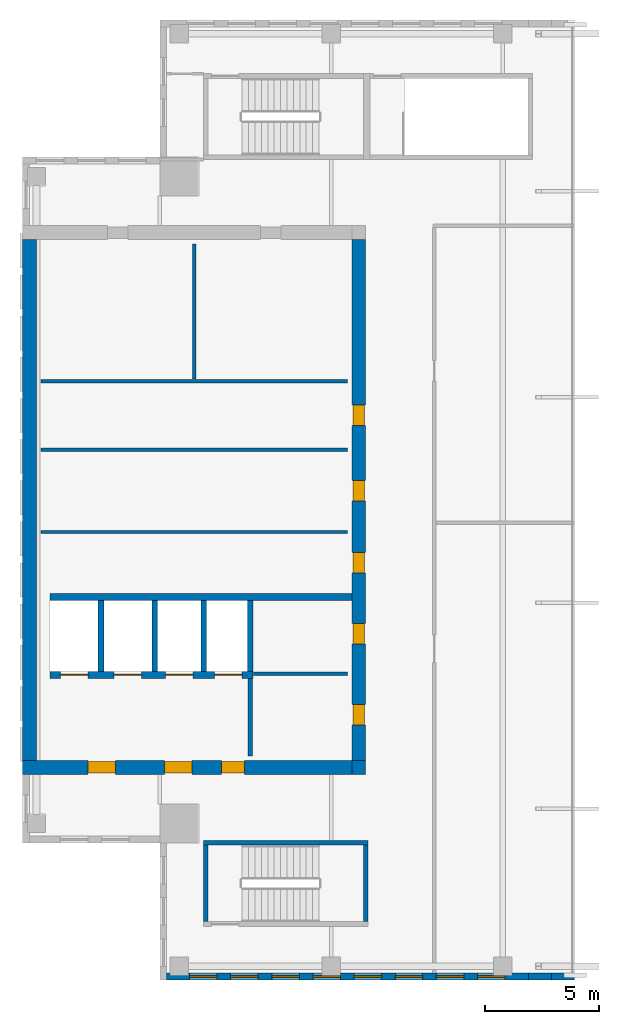
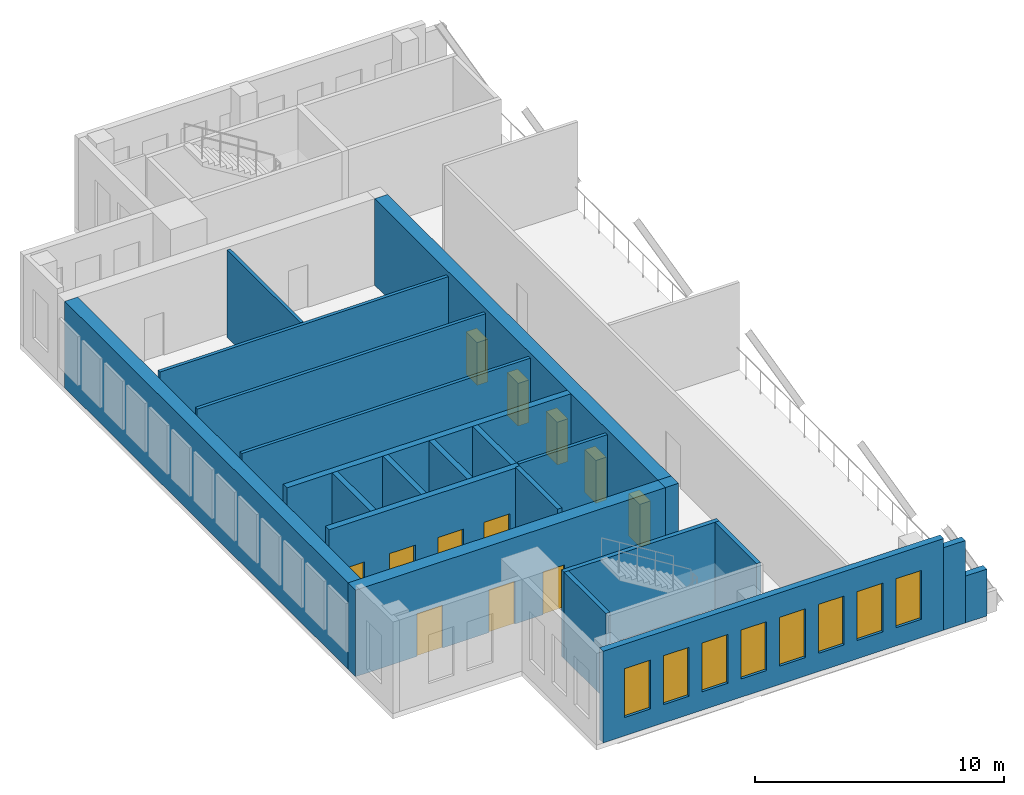
# One storey, part 2 of 5: 22 walls, 12 doors, 8 windows, 20 openings.
"""IFC4 building model written with IfcOpenShell, lengths in metres."""

from ifc_helpers import new_model, si_unit, direction, frame, frame_2d, origin, place, context, subcontext, project, spatial, rectangle, extrude, source, transform, mapped, material, layer, layer_set, type_object, element, fill, save


model = new_model("IFC4")

# Units and contexts
model_context = context("Model", 3, precision=1e-05, world=origin(), true_north=direction((0.0, 1.0)))
body_context = subcontext(model_context, "Body", "Model", "MODEL_VIEW")
ifc_project = project(units=[si_unit("LENGTHUNIT", "METRE"), si_unit("AREAUNIT", "SQUARE_METRE"), si_unit("VOLUMEUNIT", "CUBIC_METRE"), si_unit("PLANEANGLEUNIT", "RADIAN"), si_unit("MASSUNIT", "GRAM", prefix="KILO")], contexts=[model_context])

# Site, building, storey
site_placement = place(None, origin())
site = spatial("IfcSite", under=ifc_project, at=site_placement, CompositionType="ELEMENT")
building_placement = place(site_placement, origin())
building = spatial("IfcBuilding", under=site, at=building_placement, Name="Khomas Fold Tower", CompositionType="ELEMENT")
storey_placement = place(building_placement, frame((0.0, 0.0, 343.699951171875)))
storey = spatial("IfcBuildingStorey", under=building, at=storey_placement, Name="C4", CompositionType="ELEMENT", Elevation=343.699951171875)

# Wall, openings, doors
ifc_material_1 = material(Name="Concrete C50/60", Category="concrete")
ifc_layer_1 = layer(ifc_material_1, 0.60009765625)
ifc_layer_set_1 = layer_set([ifc_layer_1], Name="Concrete C50/60")
wall_type_1 = type_object("IfcWallType", Name="Core wall 600", PredefinedType="SHEAR", material=ifc_layer_set_1)
shared_shape_1 = source(origin(), body_context, "Body", "SweptSolid", [
    extrude(rectangle(XDim=14.39990234375, YDim=0.60009765625, at=frame_2d((7.199951171875, 0.0))), origin(), (0.0, 0.0, 1.0), 4.25),
])
wall_1_placement = place(storey_placement, frame((6.0, 15.300048828125, 0.0), z_axis=(0.0, 0.0, 1.0), x_axis=(1.0, 0.0, 0.0)))
wall_1 = element("IfcWall", 1, at=wall_1_placement, inside=storey, type_object=wall_type_1, Name="Core wall CW-U-S-L63", PredefinedType="SHEAR", context=body_context, shape_type="MappedRepresentation", body=[
    mapped(shared_shape_1, transform((0.0, 0.0, 0.0))),
])
shared_shape_2 = source(origin(), body_context, "Body", "SweptSolid", [
    extrude(rectangle(XDim=1.199951171875, YDim=2.10009765625, at=frame_2d((0.60009765625, 1.050048828125))), frame((0.0, 0.31005859375, 0.0), z_axis=(0.0, -1.0, 0.0), x_axis=(1.0, 0.0, 0.0)), (0.0, 0.0, 1.0), 0.6201171875),
])
opening_1_placement = place(wall_1_placement, frame((6.199951171875, 0.0, 0.0)))
opening_1 = element("IfcOpeningElement", 2, at=opening_1_placement, cuts=wall_1, Name="Opening 0009", PredefinedType="OPENING", context=body_context, shape_type="MappedRepresentation", body=[
    mapped(shared_shape_2, transform((0.0, 0.0, 0.0))),
])
opening_2_placement = place(wall_1_placement, frame((2.85009765625, 0.0, 0.0)))
opening_2 = element("IfcOpeningElement", 3, at=opening_2_placement, cuts=wall_1, Name="Opening 0009", PredefinedType="OPENING", context=body_context, shape_type="MappedRepresentation", body=[
    mapped(shared_shape_2, transform((0.0, 0.0, 0.0))),
])
shared_shape_3 = source(origin(), body_context, "Body", "SweptSolid", [
    extrude(rectangle(XDim=1.0, YDim=2.10009765625, at=frame_2d((0.5, 1.050048828125))), frame((0.0, 0.31005859375, 0.0), z_axis=(0.0, -1.0, 0.0), x_axis=(1.0, 0.0, 0.0)), (0.0, 0.0, 1.0), 0.6201171875),
])
opening_3_placement = place(wall_1_placement, frame((8.699951171875, 0.0, 0.0)))
opening_3 = element("IfcOpeningElement", 4, at=opening_3_placement, cuts=wall_1, Name="Opening 0010", PredefinedType="OPENING", context=body_context, shape_type="MappedRepresentation", body=[
    mapped(shared_shape_3, transform((0.0, 0.0, 0.0))),
])
ifc_material_2 = material(Name="Steel door leaf", Category="steel")
door_type_1 = type_object("IfcDoorType", Name="Stair door 1000x2100 right-hand", OperationType="SINGLE_SWING_RIGHT", PredefinedType="DOOR", material=ifc_material_2)
shared_shape_4 = source(origin(), body_context, "Body", "SweptSolid", [
    extrude(rectangle(XDim=1.0, YDim=2.10009765625, at=frame_2d((0.5, 1.050048828125))), frame((0.0, 0.25, 0.0), z_axis=(0.0, -1.0, 0.0), x_axis=(1.0, 0.0, 0.0)), (0.0, 0.0, 1.0), 0.5),
])
door_1_placement = place(opening_3_placement, origin())
door_1 = element("IfcDoor", 5, at=door_1_placement, inside=storey, type_object=door_type_1, Name="Stair door", OperationType="SINGLE_SWING_RIGHT", OverallHeight=2.10009765625, OverallWidth=1.0, PredefinedType="DOOR", context=body_context, shape_type="MappedRepresentation", body=[
    mapped(shared_shape_4, transform((0.0, 0.0, 0.0))),
])
fill(opening_3, door_1)
ifc_material_3 = material(Name="Steel door leaf", Category="steel")
door_type_2 = type_object("IfcDoorType", Name="Lobby door 1200x2100 right-hand", OperationType="SINGLE_SWING_RIGHT", PredefinedType="DOOR", material=ifc_material_3)
shared_shape_5 = source(origin(), body_context, "Body", "SweptSolid", [
    extrude(rectangle(XDim=1.199951171875, YDim=2.10009765625, at=frame_2d((0.60009765625, 1.050048828125))), frame((0.0, 0.25, 0.0), z_axis=(0.0, -1.0, 0.0), x_axis=(1.0, 0.0, 0.0)), (0.0, 0.0, 1.0), 0.5),
])
door_2_placement = place(opening_1_placement, origin())
door_2 = element("IfcDoor", 6, at=door_2_placement, inside=storey, type_object=door_type_2, Name="Lobby door", OperationType="SINGLE_SWING_RIGHT", OverallHeight=2.10009765625, OverallWidth=1.199951171875, PredefinedType="DOOR", context=body_context, shape_type="MappedRepresentation", body=[
    mapped(shared_shape_5, transform((0.0, 0.0, 0.0))),
])
fill(opening_1, door_2)
door_3_placement = place(opening_2_placement, origin())
door_3 = element("IfcDoor", 7, at=door_3_placement, inside=storey, type_object=door_type_2, Name="Lobby door", OperationType="SINGLE_SWING_RIGHT", OverallHeight=2.10009765625, OverallWidth=1.199951171875, PredefinedType="DOOR", context=body_context, shape_type="MappedRepresentation", body=[
    mapped(shared_shape_5, transform((0.0, 0.0, 0.0))),
])
fill(opening_2, door_3)

# Wall
ifc_material_4 = material(Name="Concrete C50/60", Category="concrete")
ifc_layer_2 = layer(ifc_material_4, 0.60009765625)
ifc_layer_set_2 = layer_set([ifc_layer_2], Name="Concrete C50/60")
wall_type_2 = type_object("IfcWallType", Name="Core corner wall 600", PredefinedType="SHEAR", material=ifc_layer_set_2)
shared_shape_6 = source(origin(), body_context, "Body", "SweptSolid", [
    extrude(rectangle(XDim=0.60009765625, YDim=0.60009765625, at=frame_2d((0.300048828125, 0.0))), origin(), (0.0, 0.0, 1.0), 4.25),
])
wall_2_placement = place(storey_placement, frame((20.39990234375, 15.300048828125, 0.0), z_axis=(0.0, 0.0, 1.0), x_axis=(1.0, 0.0, 0.0)))
element("IfcWall", 8, at=wall_2_placement, inside=storey, type_object=wall_type_2, Name="Core wall CW-U-SE-L63", PredefinedType="SHEAR", context=body_context, shape_type="MappedRepresentation", body=[
    mapped(shared_shape_6, transform((0.0, 0.0, 0.0))),
])

# Wall, openings, doors
shared_shape_7 = source(origin(), body_context, "Body", "SweptSolid", [
    extrude(rectangle(XDim=22.7998046875, YDim=0.60009765625, at=frame_2d((11.39990234375, 0.0))), origin(), (0.0, 0.0, 1.0), 4.25),
])
wall_3_placement = place(storey_placement, frame((20.699951171875, 15.60009765625, 0.0), z_axis=(0.0, 0.0, 1.0), x_axis=(0.0, 1.0, 0.0)))
wall_3 = element("IfcWall", 9, at=wall_3_placement, inside=storey, type_object=wall_type_1, Name="Core wall CW-U-E-L63", PredefinedType="SHEAR", context=body_context, shape_type="MappedRepresentation", body=[
    mapped(shared_shape_7, transform((0.0, 0.0, 0.0))),
])
shared_shape_8 = source(origin(), body_context, "Body", "SweptSolid", [
    extrude(rectangle(XDim=0.89990234375, YDim=2.10009765625, at=frame_2d((0.449951171875, 1.050048828125))), frame((0.0, 0.31005859375, 0.0), z_axis=(0.0, -1.0, 0.0), x_axis=(1.0, 0.0, 0.0)), (0.0, 0.0, 1.0), 0.6201171875),
])
opening_4_placement = place(wall_3_placement, frame((8.199951171875, 0.0, 0.0)))
opening_4 = element("IfcOpeningElement", 10, at=opening_4_placement, cuts=wall_3, Name="Opening 0003", PredefinedType="OPENING", context=body_context, shape_type="MappedRepresentation", body=[
    mapped(shared_shape_8, transform((0.0, 0.0, 0.0))),
])
opening_5_placement = place(wall_3_placement, frame((11.35009765625, 0.0, 0.0)))
opening_5 = element("IfcOpeningElement", 11, at=opening_5_placement, cuts=wall_3, Name="Opening 0003", PredefinedType="OPENING", context=body_context, shape_type="MappedRepresentation", body=[
    mapped(shared_shape_8, transform((0.0, 0.0, 0.0))),
])
opening_6_placement = place(wall_3_placement, frame((14.64990234375, 0.0, 0.0)))
opening_6 = element("IfcOpeningElement", 12, at=opening_6_placement, cuts=wall_3, Name="Opening 0003", PredefinedType="OPENING", context=body_context, shape_type="MappedRepresentation", body=[
    mapped(shared_shape_8, transform((0.0, 0.0, 0.0))),
])
opening_7_placement = place(wall_3_placement, frame((1.550048828125, 0.0, 0.0)))
opening_7 = element("IfcOpeningElement", 13, at=opening_7_placement, cuts=wall_3, Name="Opening 0004", PredefinedType="OPENING", context=body_context, shape_type="MappedRepresentation", body=[
    mapped(shared_shape_8, transform((0.0, 0.0, 0.0))),
])
opening_8_placement = place(wall_3_placement, frame((5.10009765625, 0.0, 0.0)))
opening_8 = element("IfcOpeningElement", 14, at=opening_8_placement, cuts=wall_3, Name="Opening 0003", PredefinedType="OPENING", context=body_context, shape_type="MappedRepresentation", body=[
    mapped(shared_shape_8, transform((0.0, 0.0, 0.0))),
])
ifc_material_5 = material(Name="Steel door leaf", Category="steel")
door_type_3 = type_object("IfcDoorType", Name="Plant room door 900x2100 right-hand", OperationType="SINGLE_SWING_RIGHT", PredefinedType="DOOR", material=ifc_material_5)
shared_shape_9 = source(origin(), body_context, "Body", "SweptSolid", [
    extrude(rectangle(XDim=0.89990234375, YDim=2.10009765625, at=frame_2d((0.449951171875, 1.050048828125))), frame((0.0, 0.25, 0.0), z_axis=(0.0, -1.0, 0.0), x_axis=(1.0, 0.0, 0.0)), (0.0, 0.0, 1.0), 0.5),
])
door_4_placement = place(opening_4_placement, origin())
door_4 = element("IfcDoor", 15, at=door_4_placement, inside=storey, type_object=door_type_3, Name="Plant room door", OperationType="SINGLE_SWING_RIGHT", OverallHeight=2.10009765625, OverallWidth=0.89990234375, PredefinedType="DOOR", context=body_context, shape_type="MappedRepresentation", body=[
    mapped(shared_shape_9, transform((0.0, 0.0, 0.0))),
])
fill(opening_4, door_4)
door_5_placement = place(opening_5_placement, origin())
door_5 = element("IfcDoor", 16, at=door_5_placement, inside=storey, type_object=door_type_3, Name="Plant room door", OperationType="SINGLE_SWING_RIGHT", OverallHeight=2.10009765625, OverallWidth=0.89990234375, PredefinedType="DOOR", context=body_context, shape_type="MappedRepresentation", body=[
    mapped(shared_shape_9, transform((0.0, 0.0, 0.0))),
])
fill(opening_5, door_5)
door_6_placement = place(opening_6_placement, origin())
door_6 = element("IfcDoor", 17, at=door_6_placement, inside=storey, type_object=door_type_3, Name="Plant room door", OperationType="SINGLE_SWING_RIGHT", OverallHeight=2.10009765625, OverallWidth=0.89990234375, PredefinedType="DOOR", context=body_context, shape_type="MappedRepresentation", body=[
    mapped(shared_shape_9, transform((0.0, 0.0, 0.0))),
])
fill(opening_6, door_6)
ifc_material_6 = material(Name="Timber door leaf", Category="wood")
door_type_4 = type_object("IfcDoorType", Name="WC door 900x2100 right-hand", OperationType="SINGLE_SWING_RIGHT", PredefinedType="DOOR", material=ifc_material_6)
door_7_placement = place(opening_7_placement, origin())
door_7 = element("IfcDoor", 18, at=door_7_placement, inside=storey, type_object=door_type_4, Name="WC door", OperationType="SINGLE_SWING_RIGHT", OverallHeight=2.10009765625, OverallWidth=0.89990234375, PredefinedType="DOOR", context=body_context, shape_type="MappedRepresentation", body=[
    mapped(shared_shape_9, transform((0.0, 0.0, 0.0))),
])
fill(opening_7, door_7)
door_8_placement = place(opening_8_placement, origin())
door_8 = element("IfcDoor", 19, at=door_8_placement, inside=storey, type_object=door_type_3, Name="Plant room door", OperationType="SINGLE_SWING_RIGHT", OverallHeight=2.10009765625, OverallWidth=0.89990234375, PredefinedType="DOOR", context=body_context, shape_type="MappedRepresentation", body=[
    mapped(shared_shape_9, transform((0.0, 0.0, 0.0))),
])
fill(opening_8, door_8)

# Walls
wall_4_placement = place(storey_placement, frame((6.300048828125, 15.60009765625, 0.0), z_axis=(0.0, 0.0, 1.0), x_axis=(0.0, 1.0, 0.0)))
element("IfcWall", 20, at=wall_4_placement, inside=storey, type_object=wall_type_1, Name="Core wall CW-U-W-L63", PredefinedType="SHEAR", context=body_context, shape_type="MappedRepresentation", body=[
    mapped(shared_shape_7, transform((0.0, 0.0, 0.0))),
])
ifc_material_7 = material(Name="Concrete C50/60", Category="concrete")
ifc_layer_3 = layer(ifc_material_7, 0.199951171875)
ifc_layer_set_3 = layer_set([ifc_layer_3], Name="Concrete C50/60")
wall_type_3 = type_object("IfcWallType", Name="Stair wall 200", PredefinedType="SHEAR", material=ifc_layer_set_3)
shared_shape_10 = source(origin(), body_context, "Body", "SweptSolid", [
    extrude(rectangle(XDim=7.2001953125, YDim=0.199951171875, at=frame_2d((3.60009765625, 0.0))), origin(), (0.0, 0.0, 1.0), 4.25),
])
wall_5_placement = place(storey_placement, frame((13.89990234375, 12.0, 0.0), z_axis=(0.0, 0.0, 1.0), x_axis=(1.0, 0.0, 0.0)))
element("IfcWall", 21, at=wall_5_placement, inside=storey, type_object=wall_type_3, Name="Stair wall SW-ST2-NH", PredefinedType="SHEAR", context=body_context, shape_type="MappedRepresentation", body=[
    mapped(shared_shape_10, transform((0.0, 0.0, 0.0))),
])
shared_shape_11 = source(origin(), body_context, "Body", "SweptSolid", [
    extrude(rectangle(XDim=3.349853515625, YDim=0.199951171875, at=frame_2d((1.6748046875, 0.0))), origin(), (0.0, 0.0, 1.0), 4.25),
])
for number, where, z_axis, x_axis, name in (
    (22, (21.0, 8.550048828125, 0.0), (0.0, 0.0, 1.0), (0.0, 1.0, 0.0), "Stair wall SW-ST2-E"),
    (23, (14.0, 8.550048828125, 0.0), (0.0, 0.0, 1.0), (0.0, 1.0, 0.0), "Stair wall SW-ST2-W"),
):
    element("IfcWall", number, at=place(storey_placement, frame(where, z_axis=z_axis, x_axis=x_axis)), inside=storey, type_object=wall_type_3, Name=name, PredefinedType="SHEAR", context=body_context, shape_type="MappedRepresentation", body=[
        mapped(shared_shape_11, transform((0.0, 0.0, 0.0))),
    ])
ifc_material_8 = material(Name="Concrete C50/60", Category="concrete")
ifc_layer_4 = layer(ifc_material_8, 0.300048828125)
ifc_layer_set_4 = layer_set([ifc_layer_4], Name="Concrete C50/60")
wall_type_4 = type_object("IfcWallType", Name="Shaft wall 300", PredefinedType="STANDARD", material=ifc_layer_set_4)
shared_shape_12 = source(origin(), body_context, "Body", "SweptSolid", [
    extrude(rectangle(XDim=13.199951171875, YDim=0.300048828125, at=frame_2d((6.60009765625, 0.0))), origin(), (0.0, 0.0, 1.0), 4.25),
])
wall_6_placement = place(storey_placement, frame((7.199951171875, 22.75, 0.0), z_axis=(0.0, 0.0, 1.0), x_axis=(1.0, 0.0, 0.0)))
element("IfcWall", 24, at=wall_6_placement, inside=storey, type_object=wall_type_4, Name="Core wall SW-FS-B", PredefinedType="STANDARD", context=body_context, shape_type="MappedRepresentation", body=[
    mapped(shared_shape_12, transform((0.0, 0.0, 0.0))),
])

# Wall, openings, doors
shared_shape_13 = source(origin(), body_context, "Body", "SweptSolid", [
    extrude(rectangle(XDim=8.875, YDim=0.300048828125, at=frame_2d((4.4375, 0.0))), origin(), (0.0, 0.0, 1.0), 4.25),
])
wall_7_placement = place(storey_placement, frame((7.199951171875, 19.35009765625, 0.0), z_axis=(0.0, 0.0, 1.0), x_axis=(1.0, 0.0, 0.0)))
wall_7 = element("IfcWall", 25, at=wall_7_placement, inside=storey, type_object=wall_type_4, Name="Core wall SW-FS-F", PredefinedType="STANDARD", context=body_context, shape_type="MappedRepresentation", body=[
    mapped(shared_shape_13, transform((0.0, 0.0, 0.0))),
])
shared_shape_14 = source(origin(), body_context, "Body", "SweptSolid", [
    extrude(rectangle(XDim=1.199951171875, YDim=2.10009765625, at=frame_2d((0.60009765625, 1.050048828125))), frame((0.0, 0.159912109375, 0.0), z_axis=(0.0, -1.0, 0.0), x_axis=(1.0, 0.0, 0.0)), (0.0, 0.0, 1.0), 0.320068359375),
])
opening_9_placement = place(wall_7_placement, frame((0.449951171875, 0.0, 0.0)))
opening_9 = element("IfcOpeningElement", 26, at=opening_9_placement, cuts=wall_7, Name="Opening LD-SV1", PredefinedType="OPENING", context=body_context, shape_type="MappedRepresentation", body=[
    mapped(shared_shape_14, transform((0.0, 0.0, 0.0))),
])
opening_10_placement = place(wall_7_placement, frame((2.800048828125, 0.0, 0.0)))
opening_10 = element("IfcOpeningElement", 27, at=opening_10_placement, cuts=wall_7, Name="Opening LD-SV2", PredefinedType="OPENING", context=body_context, shape_type="MappedRepresentation", body=[
    mapped(shared_shape_14, transform((0.0, 0.0, 0.0))),
])
opening_11_placement = place(wall_7_placement, frame((5.050048828125, 0.0, 0.0)))
opening_11 = element("IfcOpeningElement", 28, at=opening_11_placement, cuts=wall_7, Name="Opening LD-FF1", PredefinedType="OPENING", context=body_context, shape_type="MappedRepresentation", body=[
    mapped(shared_shape_14, transform((0.0, 0.0, 0.0))),
])
opening_12_placement = place(wall_7_placement, frame((7.199951171875, 0.0, 0.0)))
opening_12 = element("IfcOpeningElement", 29, at=opening_12_placement, cuts=wall_7, Name="Opening LD-FF2", PredefinedType="OPENING", context=body_context, shape_type="MappedRepresentation", body=[
    mapped(shared_shape_14, transform((0.0, 0.0, 0.0))),
])
ifc_material_9 = material(Name="Steel door leaf", Category="steel")
door_type_5 = type_object("IfcDoorType", Name="Landing door 1200x2100", OperationType="DOUBLE_DOOR_SLIDING", PredefinedType="DOOR", material=ifc_material_9)
shared_shape_15 = source(origin(), body_context, "Body", "SweptSolid", [
    extrude(rectangle(XDim=1.199951171875, YDim=2.10009765625, at=frame_2d((0.60009765625, 1.050048828125))), frame((0.0, 0.02490234375, 0.0), z_axis=(0.0, -1.0, 0.0), x_axis=(1.0, 0.0, 0.0)), (0.0, 0.0, 1.0), 0.050048828125),
])
door_9_placement = place(opening_9_placement, origin())
door_9 = element("IfcDoor", 30, at=door_9_placement, inside=storey, type_object=door_type_5, Name="Lift landing door", OperationType="DOUBLE_DOOR_SLIDING", OverallHeight=2.10009765625, OverallWidth=1.199951171875, PredefinedType="DOOR", context=body_context, shape_type="MappedRepresentation", body=[
    mapped(shared_shape_15, transform((0.0, 0.0, 0.0))),
])
fill(opening_9, door_9)
door_10_placement = place(opening_10_placement, origin())
door_10 = element("IfcDoor", 31, at=door_10_placement, inside=storey, type_object=door_type_5, Name="Lift landing door", OperationType="DOUBLE_DOOR_SLIDING", OverallHeight=2.10009765625, OverallWidth=1.199951171875, PredefinedType="DOOR", context=body_context, shape_type="MappedRepresentation", body=[
    mapped(shared_shape_15, transform((0.0, 0.0, 0.0))),
])
fill(opening_10, door_10)
door_11_placement = place(opening_11_placement, origin())
door_11 = element("IfcDoor", 32, at=door_11_placement, inside=storey, type_object=door_type_5, Name="Lift landing door", OperationType="DOUBLE_DOOR_SLIDING", OverallHeight=2.10009765625, OverallWidth=1.199951171875, PredefinedType="DOOR", context=body_context, shape_type="MappedRepresentation", body=[
    mapped(shared_shape_15, transform((0.0, 0.0, 0.0))),
])
fill(opening_11, door_11)
door_12_placement = place(opening_12_placement, origin())
door_12 = element("IfcDoor", 33, at=door_12_placement, inside=storey, type_object=door_type_5, Name="Lift landing door", OperationType="DOUBLE_DOOR_SLIDING", OverallHeight=2.10009765625, OverallWidth=1.199951171875, PredefinedType="DOOR", context=body_context, shape_type="MappedRepresentation", body=[
    mapped(shared_shape_15, transform((0.0, 0.0, 0.0))),
])
fill(opening_12, door_12)

# Walls
ifc_material_10 = material(Name="Concrete C50/60", Category="concrete")
ifc_layer_5 = layer(ifc_material_10, 0.25)
ifc_layer_set_5 = layer_set([ifc_layer_5], Name="Concrete C50/60")
wall_type_5 = type_object("IfcWallType", Name="Shaft wall 250", PredefinedType="STANDARD", material=ifc_layer_set_5)
shared_shape_16 = source(origin(), body_context, "Body", "SweptSolid", [
    extrude(rectangle(XDim=3.10009765625, YDim=0.25, at=frame_2d((1.550048828125, 0.0))), origin(), (0.0, 0.0, 1.0), 4.25),
])
for number, where, z_axis, x_axis, name in (
    (34, (9.425048828125, 19.5, 0.0), (0.0, 0.0, 1.0), (0.0, 1.0, 0.0), "Core wall SW-FS-P1"),
    (35, (11.77490234375, 19.5, 0.0), (0.0, 0.0, 1.0), (0.0, 1.0, 0.0), "Core wall SW-FS-P2"),
    (36, (13.925048828125, 19.5, 0.0), (0.0, 0.0, 1.0), (0.0, 1.0, 0.0), "Core wall SW-FS-P3"),
    (37, (15.949951171875, 19.5, 0.0), (0.0, 0.0, 1.0), (0.0, 1.0, 0.0), "Core wall SW-FS-PE"),
):
    element("IfcWall", number, at=place(storey_placement, frame(where, z_axis=z_axis, x_axis=x_axis)), inside=storey, type_object=wall_type_5, Name=name, PredefinedType="STANDARD", context=body_context, shape_type="MappedRepresentation", body=[
        mapped(shared_shape_16, transform((0.0, 0.0, 0.0))),
    ])

# Wall, openings, windows
ifc_material_11 = material(Name="Concrete C40/50", Category="concrete")
ifc_layer_6 = layer(ifc_material_11, 0.300048828125)
ifc_layer_set_6 = layer_set([ifc_layer_6], Name="Concrete C40/50")
wall_type_6 = type_object("IfcWallType", Name="Crown gable wall 300 CR-GW1", PredefinedType="SOLIDWALL", material=ifc_layer_set_6)
shared_shape_17 = source(origin(), body_context, "Body", "SweptSolid", [
    extrude(rectangle(XDim=15.82275390625, YDim=0.300048828125, at=frame_2d((7.911376953125, 0.0))), origin(), (0.0, 0.0, 1.0), 4.5),
])
wall_8_placement = place(storey_placement, frame((12.300048828125, 6.14990234375, 0.0), z_axis=(0.0, 0.0, 1.0), x_axis=(1.0, 0.0, 0.0)))
wall_8 = element("IfcWall", 38, at=wall_8_placement, inside=storey, type_object=wall_type_6, Name="Crown wall", PredefinedType="SOLIDWALL", context=body_context, shape_type="MappedRepresentation", body=[
    mapped(shared_shape_17, transform((0.0, 0.0, 0.0))),
])
shared_shape_18 = source(origin(), body_context, "Body", "SweptSolid", [
    extrude(rectangle(XDim=1.199951171875, YDim=2.39990234375, at=frame_2d((0.60009765625, 1.199951171875))), frame((0.0, 0.159912109375, 0.0), z_axis=(0.0, -1.0, 0.0), x_axis=(1.0, 0.0, 0.0)), (0.0, 0.0, 1.0), 0.320068359375),
])
opening_13_placement = place(wall_8_placement, frame((1.0, 0.0, 0.89990234375)))
opening_13 = element("IfcOpeningElement", 39, at=opening_13_placement, cuts=wall_8, Name="Opening CR-LV", PredefinedType="OPENING", context=body_context, shape_type="MappedRepresentation", body=[
    mapped(shared_shape_18, transform((0.0, 0.0, 0.0))),
])
opening_14_placement = place(wall_8_placement, frame((2.800048828125, 0.0, 0.89990234375)))
opening_14 = element("IfcOpeningElement", 40, at=opening_14_placement, cuts=wall_8, Name="Opening CR-LV", PredefinedType="OPENING", context=body_context, shape_type="MappedRepresentation", body=[
    mapped(shared_shape_18, transform((0.0, 0.0, 0.0))),
])
opening_15_placement = place(wall_8_placement, frame((4.60009765625, 0.0, 0.89990234375)))
opening_15 = element("IfcOpeningElement", 41, at=opening_15_placement, cuts=wall_8, Name="Opening CR-LV", PredefinedType="OPENING", context=body_context, shape_type="MappedRepresentation", body=[
    mapped(shared_shape_18, transform((0.0, 0.0, 0.0))),
])
opening_16_placement = place(wall_8_placement, frame((6.39990234375, 0.0, 0.89990234375)))
opening_16 = element("IfcOpeningElement", 42, at=opening_16_placement, cuts=wall_8, Name="Opening CR-LV", PredefinedType="OPENING", context=body_context, shape_type="MappedRepresentation", body=[
    mapped(shared_shape_18, transform((0.0, 0.0, 0.0))),
])
opening_17_placement = place(wall_8_placement, frame((8.199951171875, 0.0, 0.89990234375)))
opening_17 = element("IfcOpeningElement", 43, at=opening_17_placement, cuts=wall_8, Name="Opening CR-LV", PredefinedType="OPENING", context=body_context, shape_type="MappedRepresentation", body=[
    mapped(shared_shape_18, transform((0.0, 0.0, 0.0))),
])
opening_18_placement = place(wall_8_placement, frame((10.0, 0.0, 0.89990234375)))
opening_18 = element("IfcOpeningElement", 44, at=opening_18_placement, cuts=wall_8, Name="Opening CR-LV", PredefinedType="OPENING", context=body_context, shape_type="MappedRepresentation", body=[
    mapped(shared_shape_18, transform((0.0, 0.0, 0.0))),
])
opening_19_placement = place(wall_8_placement, frame((11.800048828125, 0.0, 0.89990234375)))
opening_19 = element("IfcOpeningElement", 45, at=opening_19_placement, cuts=wall_8, Name="Opening CR-LV", PredefinedType="OPENING", context=body_context, shape_type="MappedRepresentation", body=[
    mapped(shared_shape_18, transform((0.0, 0.0, 0.0))),
])
opening_20_placement = place(wall_8_placement, frame((13.60009765625, 0.0, 0.89990234375)))
opening_20 = element("IfcOpeningElement", 46, at=opening_20_placement, cuts=wall_8, Name="Opening CR-LV", PredefinedType="OPENING", context=body_context, shape_type="MappedRepresentation", body=[
    mapped(shared_shape_18, transform((0.0, 0.0, 0.0))),
])
ifc_material_12 = material(Name="Aluminium louvre", Category="aluminium")
window_type = type_object("IfcWindowType", Name="Crown plant louvre 1200 x 2400", PartitioningType="SINGLE_PANEL", PredefinedType="WINDOW", material=ifc_material_12)
shared_shape_19 = source(origin(), body_context, "Body", "SweptSolid", [
    extrude(rectangle(XDim=1.199951171875, YDim=2.39990234375, at=frame_2d((0.60009765625, 1.199951171875))), frame((0.0, 0.030029296875, 0.0), z_axis=(0.0, -1.0, 0.0), x_axis=(1.0, 0.0, 0.0)), (0.0, 0.0, 1.0), 0.06005859375),
])
window_1_placement = place(opening_13_placement, origin())
window_1 = element("IfcWindow", 47, at=window_1_placement, inside=storey, type_object=window_type, Name="Crown plant louvre", OverallHeight=2.39990234375, OverallWidth=1.199951171875, PartitioningType="SINGLE_PANEL", PredefinedType="WINDOW", context=body_context, shape_type="MappedRepresentation", body=[
    mapped(shared_shape_19, transform((0.0, 0.0, 0.0))),
])
fill(opening_13, window_1)
window_2_placement = place(opening_14_placement, origin())
window_2 = element("IfcWindow", 48, at=window_2_placement, inside=storey, type_object=window_type, Name="Crown plant louvre", OverallHeight=2.39990234375, OverallWidth=1.199951171875, PartitioningType="SINGLE_PANEL", PredefinedType="WINDOW", context=body_context, shape_type="MappedRepresentation", body=[
    mapped(shared_shape_19, transform((0.0, 0.0, 0.0))),
])
fill(opening_14, window_2)
window_3_placement = place(opening_15_placement, origin())
window_3 = element("IfcWindow", 49, at=window_3_placement, inside=storey, type_object=window_type, Name="Crown plant louvre", OverallHeight=2.39990234375, OverallWidth=1.199951171875, PartitioningType="SINGLE_PANEL", PredefinedType="WINDOW", context=body_context, shape_type="MappedRepresentation", body=[
    mapped(shared_shape_19, transform((0.0, 0.0, 0.0))),
])
fill(opening_15, window_3)
window_4_placement = place(opening_16_placement, origin())
window_4 = element("IfcWindow", 50, at=window_4_placement, inside=storey, type_object=window_type, Name="Crown plant louvre", OverallHeight=2.39990234375, OverallWidth=1.199951171875, PartitioningType="SINGLE_PANEL", PredefinedType="WINDOW", context=body_context, shape_type="MappedRepresentation", body=[
    mapped(shared_shape_19, transform((0.0, 0.0, 0.0))),
])
fill(opening_16, window_4)
window_5_placement = place(opening_17_placement, origin())
window_5 = element("IfcWindow", 51, at=window_5_placement, inside=storey, type_object=window_type, Name="Crown plant louvre", OverallHeight=2.39990234375, OverallWidth=1.199951171875, PartitioningType="SINGLE_PANEL", PredefinedType="WINDOW", context=body_context, shape_type="MappedRepresentation", body=[
    mapped(shared_shape_19, transform((0.0, 0.0, 0.0))),
])
fill(opening_17, window_5)
window_6_placement = place(opening_18_placement, origin())
window_6 = element("IfcWindow", 52, at=window_6_placement, inside=storey, type_object=window_type, Name="Crown plant louvre", OverallHeight=2.39990234375, OverallWidth=1.199951171875, PartitioningType="SINGLE_PANEL", PredefinedType="WINDOW", context=body_context, shape_type="MappedRepresentation", body=[
    mapped(shared_shape_19, transform((0.0, 0.0, 0.0))),
])
fill(opening_18, window_6)
window_7_placement = place(opening_19_placement, origin())
window_7 = element("IfcWindow", 53, at=window_7_placement, inside=storey, type_object=window_type, Name="Crown plant louvre", OverallHeight=2.39990234375, OverallWidth=1.199951171875, PartitioningType="SINGLE_PANEL", PredefinedType="WINDOW", context=body_context, shape_type="MappedRepresentation", body=[
    mapped(shared_shape_19, transform((0.0, 0.0, 0.0))),
])
fill(opening_19, window_7)
window_8_placement = place(opening_20_placement, origin())
window_8 = element("IfcWindow", 54, at=window_8_placement, inside=storey, type_object=window_type, Name="Crown plant louvre", OverallHeight=2.39990234375, OverallWidth=1.199951171875, PartitioningType="SINGLE_PANEL", PredefinedType="WINDOW", context=body_context, shape_type="MappedRepresentation", body=[
    mapped(shared_shape_19, transform((0.0, 0.0, 0.0))),
])
fill(opening_20, window_8)

# Walls
ifc_material_13 = material(Name="Concrete C40/50", Category="concrete")
ifc_layer_7 = layer(ifc_material_13, 0.300048828125)
ifc_layer_set_7 = layer_set([ifc_layer_7], Name="Concrete C40/50")
wall_type_7 = type_object("IfcWallType", Name="Crown gable wall 300 CR-GW2", PredefinedType="SOLIDWALL", material=ifc_layer_set_7)
shared_shape_20 = source(origin(), body_context, "Body", "SweptSolid", [
    extrude(rectangle(XDim=1.0078125, YDim=0.300048828125, at=frame_2d((0.50390625, 0.0))), origin(), (0.0, 0.0, 1.0), 4.050048828125),
])
wall_9_placement = place(storey_placement, frame((28.122802734375, 6.14990234375, 0.0), z_axis=(0.0, 0.0, 1.0), x_axis=(1.0, 0.0, 0.0)))
element("IfcWall", 55, at=wall_9_placement, inside=storey, type_object=wall_type_7, Name="Crown wall", PredefinedType="SOLIDWALL", context=body_context, shape_type="MappedRepresentation", body=[
    mapped(shared_shape_20, transform((0.0, 0.0, 0.0))),
])
ifc_material_14 = material(Name="Concrete C40/50", Category="concrete")
ifc_layer_8 = layer(ifc_material_14, 0.300048828125)
ifc_layer_set_8 = layer_set([ifc_layer_8], Name="Concrete C40/50")
wall_type_8 = type_object("IfcWallType", Name="Crown gable wall 300 CR-GW3", PredefinedType="SOLIDWALL", material=ifc_layer_set_8)
shared_shape_21 = source(origin(), body_context, "Body", "SweptSolid", [
    extrude(rectangle(XDim=1.007568359375, YDim=0.300048828125, at=frame_2d((0.50390625, 0.0))), origin(), (0.0, 0.0, 1.0), 2.300048828125),
])
wall_10_placement = place(storey_placement, frame((29.130615234375, 6.14990234375, 0.0), z_axis=(0.0, 0.0, 1.0), x_axis=(1.0, 0.0, 0.0)))
element("IfcWall", 56, at=wall_10_placement, inside=storey, type_object=wall_type_8, Name="Crown wall", PredefinedType="SOLIDWALL", context=body_context, shape_type="MappedRepresentation", body=[
    mapped(shared_shape_21, transform((0.0, 0.0, 0.0))),
])
ifc_material_15 = material(Name="Concrete C30/37", Category="concrete")
ifc_layer_9 = layer(ifc_material_15, 0.199951171875)
ifc_layer_set_9 = layer_set([ifc_layer_9], Name="Concrete C30/37")
wall_type_9 = type_object("IfcWallType", Name="Lobby wall PW4 200", PredefinedType="PARTITIONING", material=ifc_layer_set_9)
shared_shape_22 = source(origin(), body_context, "Body", "SweptSolid", [
    extrude(rectangle(XDim=3.39990234375, YDim=0.199951171875, at=frame_2d((1.699951171875, 0.0))), origin(), (0.0, 0.0, 1.0), 4.300048828125),
])
wall_11_placement = place(storey_placement, frame((15.949951171875, 15.800048828125, 0.0), z_axis=(0.0, 0.0, 1.0), x_axis=(0.0, 1.0, 0.0)))
element("IfcWall", 57, at=wall_11_placement, inside=storey, type_object=wall_type_9, Name="Lobby wall", PredefinedType="PARTITIONING", context=body_context, shape_type="MappedRepresentation", body=[
    mapped(shared_shape_22, transform((0.0, 0.0, 0.0))),
])
ifc_material_16 = material(Name="Plasterboard fire partition")
ifc_layer_10 = layer(ifc_material_16, 0.14990234375)
ifc_layer_set_10 = layer_set([ifc_layer_10], Name="Plasterboard fire partition")
wall_type_10 = type_object("IfcWallType", Name="Plant room wall PW3 150", PredefinedType="PARTITIONING", material=ifc_layer_set_10)
shared_shape_23 = source(origin(), body_context, "Body", "SweptSolid", [
    extrude(rectangle(XDim=4.099853515625, YDim=0.14990234375, at=frame_2d((2.0498046875, 0.0))), origin(), (0.0, 0.0, 1.0), 4.300048828125),
])
wall_12_placement = place(storey_placement, frame((16.10009765625, 19.39990234375, 0.0), z_axis=(0.0, 0.0, 1.0), x_axis=(1.0, 0.0, 0.0)))
element("IfcWall", 58, at=wall_12_placement, inside=storey, type_object=wall_type_10, Name="Plant room wall", PredefinedType="PARTITIONING", context=body_context, shape_type="MappedRepresentation", body=[
    mapped(shared_shape_23, transform((0.0, 0.0, 0.0))),
])
shared_shape_24 = source(origin(), body_context, "Body", "SweptSolid", [
    extrude(rectangle(XDim=13.39990234375, YDim=0.14990234375, at=frame_2d((6.699951171875, 0.0))), origin(), (0.0, 0.0, 1.0), 4.300048828125),
])
for number, where, z_axis, x_axis, name in (
    (59, (6.800048828125, 25.60009765625, 0.0), (0.0, 0.0, 1.0), (1.0, 0.0, 0.0), "Plant room wall"),
    (60, (6.800048828125, 29.199951171875, 0.0), (0.0, 0.0, 1.0), (1.0, 0.0, 0.0), "Plant room wall"),
    (61, (6.800048828125, 32.199951171875, 0.0), (0.0, 0.0, 1.0), (1.0, 0.0, 0.0), "Plant room wall"),
):
    element("IfcWall", number, at=place(storey_placement, frame(where, z_axis=z_axis, x_axis=x_axis)), inside=storey, type_object=wall_type_10, Name=name, PredefinedType="PARTITIONING", context=body_context, shape_type="MappedRepresentation", body=[
        mapped(shared_shape_24, transform((0.0, 0.0, 0.0))),
    ])
shared_shape_25 = source(origin(), body_context, "Body", "SweptSolid", [
    extrude(rectangle(XDim=5.89990234375, YDim=0.14990234375, at=frame_2d((2.949951171875, 0.0))), origin(), (0.0, 0.0, 1.0), 4.300048828125),
])
wall_13_placement = place(storey_placement, frame((13.5, 32.300048828125, 0.0), z_axis=(0.0, 0.0, 1.0), x_axis=(0.0, 1.0, 0.0)))
element("IfcWall", 62, at=wall_13_placement, inside=storey, type_object=wall_type_10, Name="Plant room wall", PredefinedType="PARTITIONING", context=body_context, shape_type="MappedRepresentation", body=[
    mapped(shared_shape_25, transform((0.0, 0.0, 0.0))),
])

save(model, "model.ifc")
